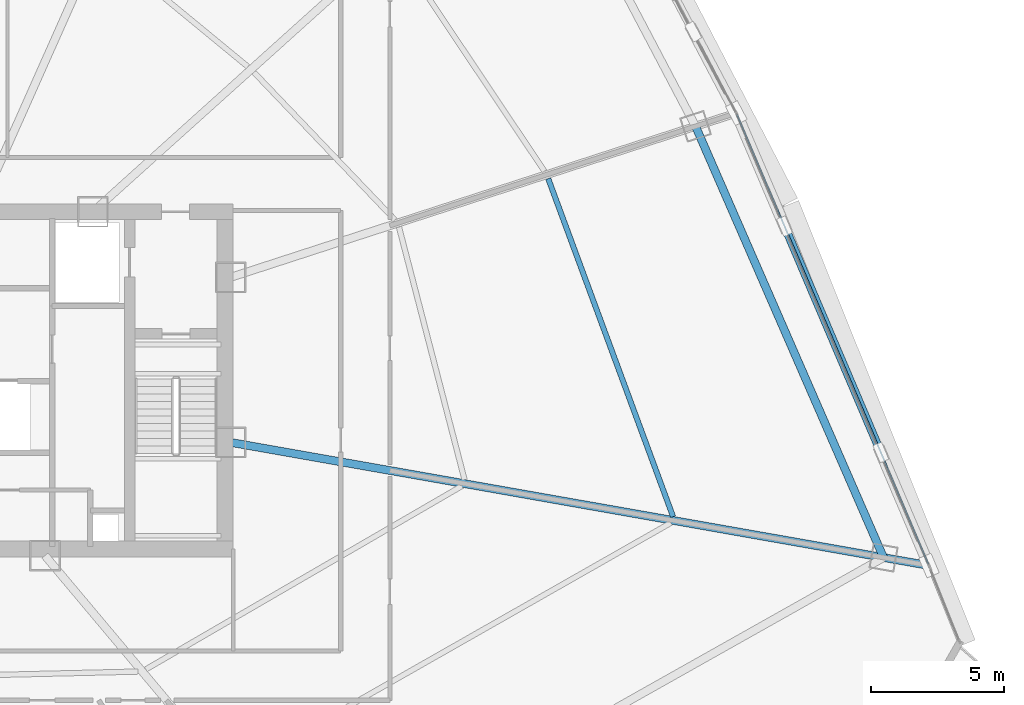
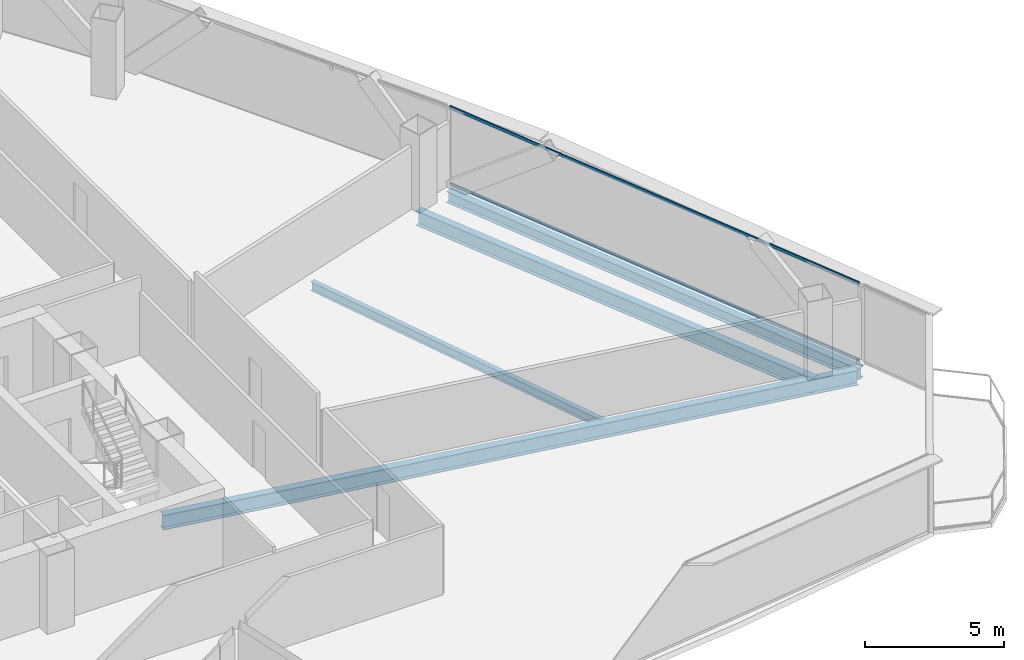
# One storey, part 25 of 39: 4 beams, 2 members, 1 element without a shape of its own.
"""IFC4 building model written with IfcOpenShell, lengths in metres."""

from ifc_helpers import new_model, si_unit, direction, frame, origin, origin_2d, place, context, subcontext, project, spatial, hollow_rectangle, i_section, extrude, source, transform, mapped, material, layer, layer_set, material_profile, profile_set, type_object, element, aggregate, save


model = new_model("IFC4")

# Units and contexts
model_context = context("Model", 3, precision=1e-05, world=origin(), true_north=direction((0.0, 1.0)))
body_context = subcontext(model_context, "Body", "Model", "MODEL_VIEW")
ifc_project = project(units=[si_unit("LENGTHUNIT", "METRE"), si_unit("AREAUNIT", "SQUARE_METRE"), si_unit("VOLUMEUNIT", "CUBIC_METRE"), si_unit("PLANEANGLEUNIT", "RADIAN"), si_unit("MASSUNIT", "GRAM", prefix="KILO"), si_unit("THERMODYNAMICTEMPERATUREUNIT", "KELVIN"), si_unit("POWERUNIT", "WATT")], contexts=[model_context])

# Site, building, storey
site_placement = place(None, origin())
site = spatial("IfcSite", under=ifc_project, at=site_placement, CompositionType="ELEMENT")
building_placement = place(site_placement, origin())
building = spatial("IfcBuilding", under=site, at=building_placement, Name="Yunzhuo Pagoda Commons", CompositionType="ELEMENT")
storey_placement = place(building_placement, frame((0.0, 0.0, 144.550048828125)))
storey = spatial("IfcBuildingStorey", under=building, at=storey_placement, Name="L36", CompositionType="ELEMENT", Elevation=144.550048828125)

# Beams
ifc_material_1 = material(Name="Structural steel Q355B", Category="steel")
ifc_material_profile_1 = material_profile(ifc_material_1, i_section(OverallWidth=0.300048828125, OverallDepth=0.64990234375, WebThickness=0.012939453125, FlangeThickness=0.02197265625, at=origin_2d()), Name="Structural steel Q355B")
ifc_profile_set_1 = profile_set([ifc_material_profile_1], Name="Structural steel Q355B")
beam_type_1 = type_object("IfcBeamType", Name="B-RG2 Beam HN 650x300x13x22", PredefinedType="BEAM", material=ifc_profile_set_1)
shared_shape_1 = source(origin(), body_context, "Body", "SweptSolid", [
    extrude(i_section(OverallWidth=0.300048828125, OverallDepth=0.64990234375, WebThickness=0.012939453125, FlangeThickness=0.02197265625, at=origin_2d()), origin(), (0.0, 0.0, 1.0), 17.72021484375),
])
beam_1_placement = place(storey_placement, frame((84.9970703125, 27.176513671875, -0.5849609375), z_axis=(-0.399643307961, 0.916670729544, 0.0), x_axis=(-0.916670729544, -0.399643307961, 0.0)))
element("IfcBeam", 1, at=beam_1_placement, inside=storey, type_object=beam_type_1, Name="L36 column-ring beam 5", PredefinedType="BEAM", context=body_context, shape_type="MappedRepresentation", body=[
    mapped(shared_shape_1, transform((0.0, 0.0, 0.0), scale=1.0)),
])
ifc_material_profile_2 = material_profile(ifc_material_1, i_section(OverallWidth=0.199951171875, OverallDepth=0.39990234375, WebThickness=0.008056640625, FlangeThickness=0.012939453125, at=origin_2d()), Name="Structural steel Q355B")
ifc_profile_set_2 = profile_set([ifc_material_profile_2], Name="Structural steel Q355B")
beam_type_2 = type_object("IfcBeamType", Name="B-JS1 Joist HN 400x200x8x13", PredefinedType="JOIST", material=ifc_profile_set_2)
shared_shape_2 = source(origin(), body_context, "Body", "SweptSolid", [
    extrude(i_section(OverallWidth=0.199951171875, OverallDepth=0.39990234375, WebThickness=0.008056640625, FlangeThickness=0.012939453125, at=origin_2d()), origin(), (0.0, 0.0, 1.0), 13.57763671875),
])
beam_2_placement = place(storey_placement, frame((77.07080078125, 28.71337890625, -0.4599609375), z_axis=(-0.346531829181, 0.938038214235, 0.0), x_axis=(-0.938038214235, -0.346531829181, 0.0)))
element("IfcBeam", 2, at=beam_2_placement, inside=storey, type_object=beam_type_2, Name="L36 composite ring joist 2.5", PredefinedType="JOIST", context=body_context, shape_type="MappedRepresentation", body=[
    mapped(shared_shape_2, transform((0.0, 0.0, 0.0), scale=1.0)),
])
shared_shape_3 = source(origin(), body_context, "Body", "SweptSolid", [
    extrude(i_section(OverallWidth=0.300048828125, OverallDepth=0.64990234375, WebThickness=0.012939453125, FlangeThickness=0.02197265625, at=origin_2d()), origin(), (0.0, 0.0, 1.0), 26.560302734375),
])
beam_3_placement = place(storey_placement, frame((86.556640625, 26.901611328125, -0.5849609375), z_axis=(-0.98480982797, 0.173636409587, 0.0), x_axis=(-0.173636409587, -0.98480982797, 0.0)))
element("IfcBeam", 3, at=beam_3_placement, inside=storey, type_object=beam_type_1, Name="L36 radial floor girder F2C1", PredefinedType="BEAM", context=body_context, shape_type="MappedRepresentation", body=[
    mapped(shared_shape_3, transform((0.0, 0.0, 0.0), scale=1.0)),
])
ifc_material_profile_3 = material_profile(ifc_material_1, i_section(OverallWidth=0.300048828125, OverallDepth=0.488037109375, WebThickness=0.010986328125, FlangeThickness=0.01806640625, at=origin_2d()), Name="Structural steel Q355B")
ifc_profile_set_3 = profile_set([ifc_material_profile_3], Name="Structural steel Q355B")
beam_type_3 = type_object("IfcBeamType", Name="B-SP1 Beam HM 488x300x11x18", PredefinedType="BEAM", material=ifc_profile_set_3)
shared_shape_4 = source(origin(), body_context, "Body", "SweptSolid", [
    extrude(i_section(OverallWidth=0.300048828125, OverallDepth=0.488037109375, WebThickness=0.010986328125, FlangeThickness=0.01806640625, at=origin_2d()), origin(), (0.0, 0.0, 1.0), 18.525634765625),
])
beam_4_placement = place(storey_placement, frame((86.708984375, 26.87451171875, -0.504150390625), z_axis=(-0.391745555192, 0.920073594876, 0.0), x_axis=(-0.920073594876, -0.391745555192, 0.0)))
element("IfcBeam", 4, at=beam_4_placement, inside=storey, type_object=beam_type_3, Name="L36 facade edge spandrel beam F2.1", PredefinedType="BEAM", context=body_context, shape_type="MappedRepresentation", body=[
    mapped(shared_shape_4, transform((0.0, 0.0, 0.0), scale=1.0)),
])

# Curtain wall, members
ifc_material_2 = material(Name="Anodized aluminium 6063-T6", Category="aluminium")
ifc_layer = layer(ifc_material_2, 0.14990234375)
ifc_layer_set = layer_set([ifc_layer], Name="Anodized aluminium 6063-T6")
curtain_wall_type = type_object("IfcCurtainWallType", Name="CW-MID Mid-Zone Ribbon Curtain Wall", PredefinedType="NOTDEFINED", material=ifc_layer_set)
curtain_wall_placement = place(storey_placement, origin())
curtain_wall = element("IfcCurtainWall", 5, at=curtain_wall_placement, inside=storey, type_object=curtain_wall_type, Name="L36 curtain wall CW-L36-F2B2", PredefinedType="NOTDEFINED")
ifc_material_profile_4 = material_profile(ifc_material_2, hollow_rectangle(XDim=0.054931640625, YDim=0.1298828125, WallThickness=0.00341796875, at=origin_2d()), Name="Anodized aluminium 6063-T6")
ifc_profile_set_4 = profile_set([ifc_material_profile_4], Name="Anodized aluminium 6063-T6")
member_type = type_object("IfcMemberType", Name="CW-MID-T Transom RHS 130x55x3.5", PredefinedType="USERDEFINED", material=ifc_profile_set_4)
shared_shape_5 = source(origin(), body_context, "Body", "SweptSolid", [
    extrude(hollow_rectangle(XDim=0.054931640625, YDim=0.1298828125, WallThickness=0.00341796875, at=origin_2d()), origin(), (0.0, 0.0, 1.0), 18.4052734375),
])
member_1_placement = place(storey_placement, frame((86.685546875, 26.929931640625, 0.02734375), z_axis=(-0.391760180447, 0.920067367651, 0.0), x_axis=(-0.920067367651, -0.391760180447, 0.0)))
member_1 = element("IfcMember", 6, at=member_1_placement, type_object=member_type, Name="CW transom 1.1", ObjectType="TRANSOM", PredefinedType="USERDEFINED", context=body_context, shape_type="MappedRepresentation", body=[
    mapped(shared_shape_5, transform((0.0, 0.0, 0.0), scale=1.0)),
])
member_2_placement = place(storey_placement, frame((86.685546875, 26.929931640625, 3.392333984375), z_axis=(-0.391760180447, 0.920067367651, 0.0), x_axis=(-0.920067367651, -0.391760180447, 0.0)))
member_2 = element("IfcMember", 7, at=member_2_placement, type_object=member_type, Name="CW transom 1.2", ObjectType="TRANSOM", PredefinedType="USERDEFINED", context=body_context, shape_type="MappedRepresentation", body=[
    mapped(shared_shape_5, transform((0.0, 0.0, 0.0), scale=1.0)),
])
aggregate(curtain_wall, [member_1, member_2])

save(model, "model.ifc")
